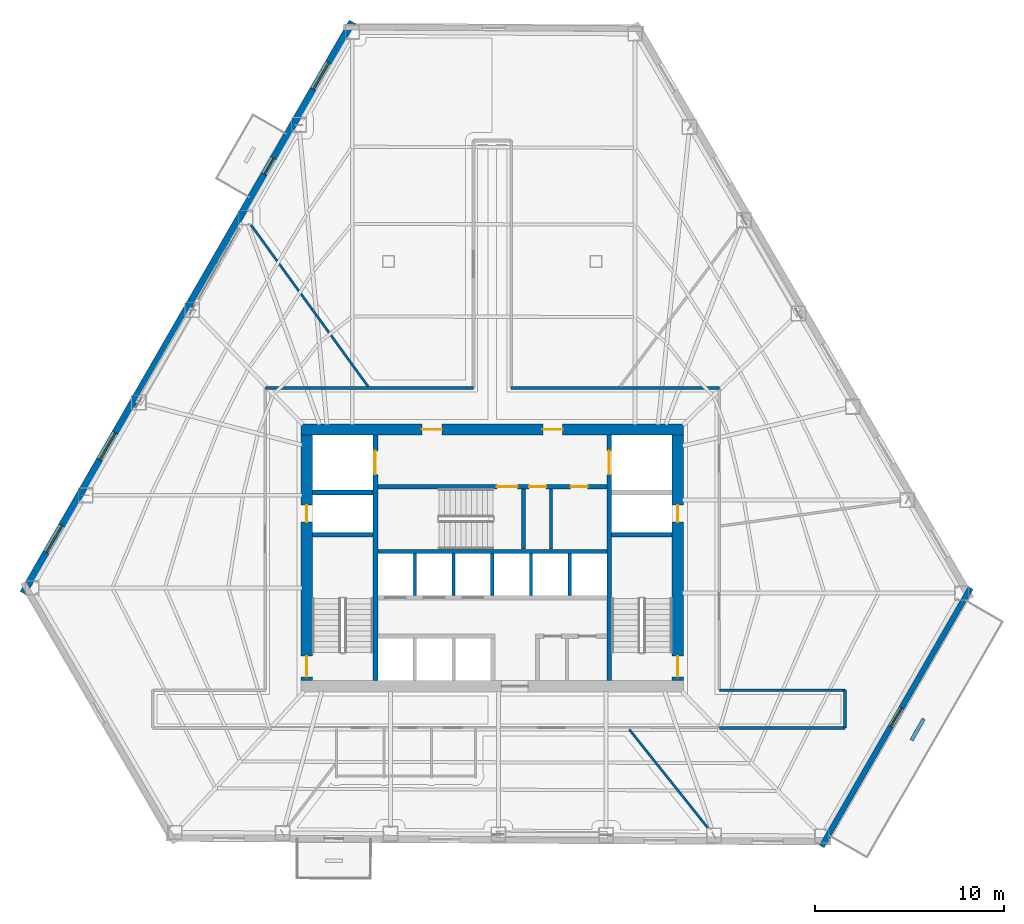
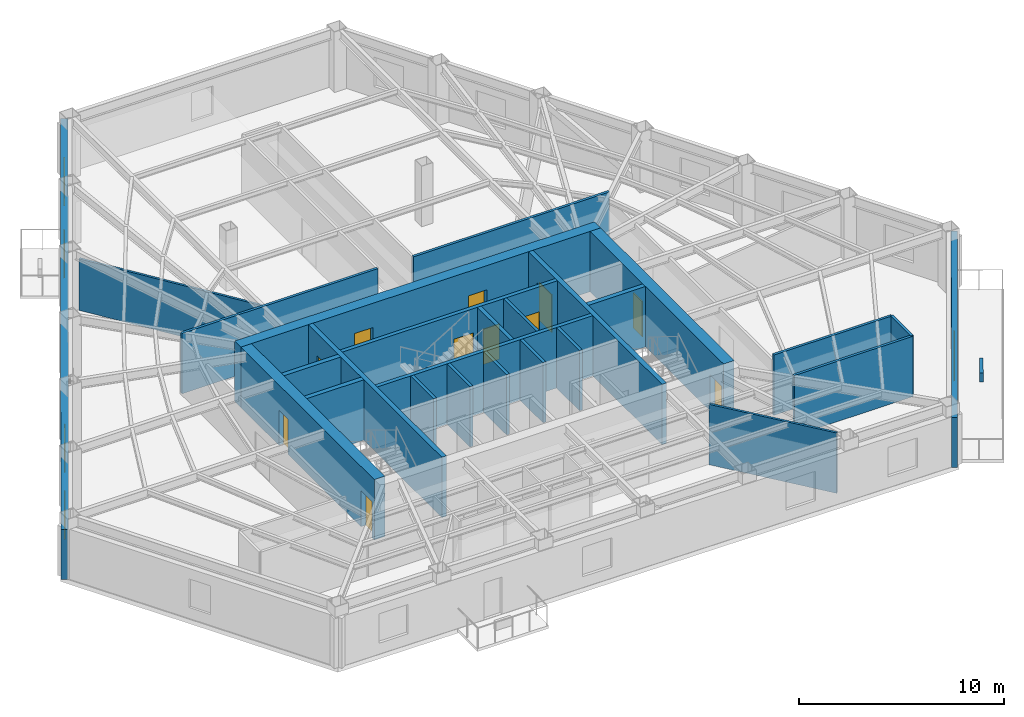
# One storey, part 11 of 16: 27 walls, 13 doors, 3 windows, 16 openings.
"""IFC4 building model written with IfcOpenShell, lengths in metres."""

from ifc_helpers import new_model, si_unit, direction, frame, frame_2d, origin, place, context, subcontext, project, spatial, rectangle, extrude, material, layer, layer_set, type_object, element, fill, save


model = new_model("IFC4")

# Units and contexts
model_context = context("Model", 3, precision=1e-05, world=origin(), true_north=direction((0.0, 1.0)))
body_context = subcontext(model_context, "Body", "Model", "MODEL_VIEW")
ifc_project = project(units=[si_unit("LENGTHUNIT", "METRE"), si_unit("AREAUNIT", "SQUARE_METRE"), si_unit("VOLUMEUNIT", "CUBIC_METRE"), si_unit("PLANEANGLEUNIT", "RADIAN"), si_unit("MASSUNIT", "GRAM", prefix="KILO")], contexts=[model_context])

# Site, building, storey
site_placement = place(None, origin())
site = spatial("IfcSite", under=ifc_project, at=site_placement, CompositionType="ELEMENT")
building_placement = place(site_placement, origin())
building = spatial("IfcBuilding", under=site, at=building_placement, Name="Kavelnor Concourse Tower", CompositionType="ELEMENT")
storey_placement = place(building_placement, frame((0.0, 0.0, 48.35009765625)))
storey = spatial("IfcBuildingStorey", under=building, at=storey_placement, Name="L12", CompositionType="ELEMENT", Elevation=48.35009765625)

# Wall, openings, doors
ifc_material_1 = material(Name="Concrete C60/75", Category="concrete")
ifc_layer_1 = layer(ifc_material_1, 0.60009765625, Name="Concrete C60/75")
ifc_layer_set_1 = layer_set([ifc_layer_1], Name="Concrete C60/75")
wall_type_1 = type_object("IfcWallType", Name="WL-CORE-Z1-600", PredefinedType="SOLIDWALL", material=ifc_layer_set_1)
wall_1_placement = place(storey_placement, frame((27.8798828125, 22.89990234375, 0.0), z_axis=(0.0, 0.0, 1.0), x_axis=(1.0, 0.0, 0.0)))
wall_1 = element("IfcWall", 1, at=wall_1_placement, inside=storey, type_object=wall_type_1, Name="L12 Central Core North Shear Wall", PredefinedType="SOLIDWALL", context=body_context, shape_type="SweptSolid", body=[
    extrude(rectangle(XDim=20.240234375, YDim=0.60009765625, at=frame_2d((10.1201171875, 0.0))), origin(), (0.0, 0.0, 1.0), 3.58984375),
])
opening_1_placement = place(wall_1_placement, frame((6.39501953125, 0.0, 0.0)))
opening_1 = element("IfcOpeningElement", 2, at=opening_1_placement, cuts=wall_1, Name="Opening FD-105", PredefinedType="OPENING", context=body_context, shape_type="SweptSolid", body=[
    extrude(rectangle(XDim=1.050048828125, YDim=2.14990234375, at=frame_2d((0.52490234375, 1.074951171875))), frame((0.0, 0.31005859375, 0.0), z_axis=(0.0, -1.0, 0.0), x_axis=(1.0, 0.0, 0.0)), (0.0, 0.0, 1.0), 0.6201171875),
])
opening_2_placement = place(wall_1_placement, frame((12.794921875, 0.0, 0.0)))
opening_2 = element("IfcOpeningElement", 3, at=opening_2_placement, cuts=wall_1, Name="Opening FD-105", PredefinedType="OPENING", context=body_context, shape_type="SweptSolid", body=[
    extrude(rectangle(XDim=1.050048828125, YDim=2.14990234375, at=frame_2d((0.52490234375, 1.074951171875))), frame((0.0, 0.31005859375, 0.0), z_axis=(0.0, -1.0, 0.0), x_axis=(1.0, 0.0, 0.0)), (0.0, 0.0, 1.0), 0.6201171875),
])
ifc_material_2 = material(Name="Steel Grade 350", Category="steel")
door_type_1 = type_object("IfcDoorType", Name="DR-LOBBY-FIRE-1050", OperationType="NOTDEFINED", PredefinedType="DOOR", material=ifc_material_2)
door_1_placement = place(opening_1_placement, origin())
door_1 = element("IfcDoor", 4, at=door_1_placement, inside=storey, type_object=door_type_1, Name="L12 Emergency Lift Lobby West Door", OperationType="SINGLE_SWING_LEFT", OverallHeight=2.14990234375, OverallWidth=1.050048828125, PredefinedType="DOOR", context=body_context, shape_type="SweptSolid", body=[
    extrude(rectangle(XDim=1.050048828125, YDim=2.14990234375, at=frame_2d((0.52490234375, 1.074951171875))), frame((0.0, 0.02490234375, 0.0), z_axis=(0.0, -1.0, 0.0), x_axis=(1.0, 0.0, 0.0)), (0.0, 0.0, 1.0), 0.050048828125),
])
fill(opening_1, door_1)
door_2_placement = place(opening_2_placement, origin())
door_2 = element("IfcDoor", 5, at=door_2_placement, inside=storey, type_object=door_type_1, Name="L12 Emergency Lift Lobby East Door", OperationType="SINGLE_SWING_RIGHT", OverallHeight=2.14990234375, OverallWidth=1.050048828125, PredefinedType="DOOR", context=body_context, shape_type="SweptSolid", body=[
    extrude(rectangle(XDim=1.050048828125, YDim=2.14990234375, at=frame_2d((0.52490234375, 1.074951171875))), frame((0.0, 0.02490234375, 0.0), z_axis=(0.0, -1.0, 0.0), x_axis=(1.0, 0.0, 0.0)), (0.0, 0.0, 1.0), 0.050048828125),
])
fill(opening_2, door_2)

wall_2_placement = place(storey_placement, frame((28.179931640625, 9.60009765625, 0.0), z_axis=(0.0, 0.0, 1.0), x_axis=(0.0, 1.0, 0.0)))
wall_2 = element("IfcWall", 6, at=wall_2_placement, inside=storey, type_object=wall_type_1, Name="L12 Central Core West Shear Wall", PredefinedType="SOLIDWALL", context=body_context, shape_type="SweptSolid", body=[
    extrude(rectangle(XDim=13.0, YDim=0.60009765625, at=frame_2d((6.5, 0.0))), origin(), (0.0, 0.0, 1.0), 3.58984375),
])
opening_3_placement = place(wall_2_placement, frame((0.199951171875, 0.0, 0.0)))
opening_3 = element("IfcOpeningElement", 7, at=opening_3_placement, cuts=wall_2, Name="Opening FD-110", PredefinedType="OPENING", context=body_context, shape_type="SweptSolid", body=[
    extrude(rectangle(XDim=1.10009765625, YDim=2.14990234375, at=frame_2d((0.550048828125, 1.074951171875))), frame((0.0, 0.31005859375, 0.0), z_axis=(0.0, -1.0, 0.0), x_axis=(1.0, 0.0, 0.0)), (0.0, 0.0, 1.0), 0.6201171875),
])
opening_4_placement = place(wall_2_placement, frame((8.39990234375, 0.0, 0.0)))
opening_4 = element("IfcOpeningElement", 8, at=opening_4_placement, cuts=wall_2, Name="Opening FD-090", PredefinedType="OPENING", context=body_context, shape_type="SweptSolid", body=[
    extrude(rectangle(XDim=0.89990234375, YDim=2.10009765625, at=frame_2d((0.449951171875, 1.050048828125))), frame((0.0, 0.31005859375, 0.0), z_axis=(0.0, -1.0, 0.0), x_axis=(1.0, 0.0, 0.0)), (0.0, 0.0, 1.0), 0.6201171875),
])
door_type_2 = type_object("IfcDoorType", Name="DR-RISER-FIRE-900", OperationType="NOTDEFINED", PredefinedType="DOOR", material=ifc_material_2)
door_3_placement = place(opening_4_placement, origin())
door_3 = element("IfcDoor", 9, at=door_3_placement, inside=storey, type_object=door_type_2, Name="L12 West Riser Access Door", OperationType="SINGLE_SWING_RIGHT", OverallHeight=2.10009765625, OverallWidth=0.89990234375, PredefinedType="DOOR", context=body_context, shape_type="SweptSolid", body=[
    extrude(rectangle(XDim=0.89990234375, YDim=2.10009765625, at=frame_2d((0.449951171875, 1.050048828125))), frame((0.0, 0.02490234375, 0.0), z_axis=(0.0, -1.0, 0.0), x_axis=(1.0, 0.0, 0.0)), (0.0, 0.0, 1.0), 0.050048828125),
])
fill(opening_4, door_3)
door_type_3 = type_object("IfcDoorType", Name="DR-STAIR-FIRE-1100", OperationType="NOTDEFINED", PredefinedType="DOOR", material=ifc_material_2)
door_4_placement = place(opening_3_placement, origin())
door_4 = element("IfcDoor", 10, at=door_4_placement, inside=storey, type_object=door_type_3, Name="L12 Stair ST1 Fire Door", OperationType="SINGLE_SWING_LEFT", OverallHeight=2.14990234375, OverallWidth=1.10009765625, PredefinedType="DOOR", context=body_context, shape_type="SweptSolid", body=[
    extrude(rectangle(XDim=1.10009765625, YDim=2.14990234375, at=frame_2d((0.550048828125, 1.074951171875))), frame((0.0, 0.02490234375, 0.0), z_axis=(0.0, -1.0, 0.0), x_axis=(1.0, 0.0, 0.0)), (0.0, 0.0, 1.0), 0.050048828125),
])
fill(opening_3, door_4)

wall_3_placement = place(storey_placement, frame((47.820068359375, 9.60009765625, 0.0), z_axis=(0.0, 0.0, 1.0), x_axis=(0.0, 1.0, 0.0)))
wall_3 = element("IfcWall", 11, at=wall_3_placement, inside=storey, type_object=wall_type_1, Name="L12 Central Core East Shear Wall", PredefinedType="SOLIDWALL", context=body_context, shape_type="SweptSolid", body=[
    extrude(rectangle(XDim=13.0, YDim=0.60009765625, at=frame_2d((6.5, 0.0))), origin(), (0.0, 0.0, 1.0), 3.58984375),
])
opening_5_placement = place(wall_3_placement, frame((0.199951171875, 0.0, 0.0)))
opening_5 = element("IfcOpeningElement", 12, at=opening_5_placement, cuts=wall_3, Name="Opening FD-110", PredefinedType="OPENING", context=body_context, shape_type="SweptSolid", body=[
    extrude(rectangle(XDim=1.10009765625, YDim=2.14990234375, at=frame_2d((0.550048828125, 1.074951171875))), frame((0.0, 0.31005859375, 0.0), z_axis=(0.0, -1.0, 0.0), x_axis=(1.0, 0.0, 0.0)), (0.0, 0.0, 1.0), 0.6201171875),
])
opening_6_placement = place(wall_3_placement, frame((8.39990234375, 0.0, 0.0)))
opening_6 = element("IfcOpeningElement", 13, at=opening_6_placement, cuts=wall_3, Name="Opening FD-090", PredefinedType="OPENING", context=body_context, shape_type="SweptSolid", body=[
    extrude(rectangle(XDim=0.89990234375, YDim=2.10009765625, at=frame_2d((0.449951171875, 1.050048828125))), frame((0.0, 0.31005859375, 0.0), z_axis=(0.0, -1.0, 0.0), x_axis=(1.0, 0.0, 0.0)), (0.0, 0.0, 1.0), 0.6201171875),
])
door_5_placement = place(opening_6_placement, origin())
door_5 = element("IfcDoor", 14, at=door_5_placement, inside=storey, type_object=door_type_2, Name="L12 East Riser Access Door", OperationType="SINGLE_SWING_LEFT", OverallHeight=2.10009765625, OverallWidth=0.89990234375, PredefinedType="DOOR", context=body_context, shape_type="SweptSolid", body=[
    extrude(rectangle(XDim=0.89990234375, YDim=2.10009765625, at=frame_2d((0.449951171875, 1.050048828125))), frame((0.0, 0.02490234375, 0.0), z_axis=(0.0, -1.0, 0.0), x_axis=(1.0, 0.0, 0.0)), (0.0, 0.0, 1.0), 0.050048828125),
])
fill(opening_6, door_5)
door_6_placement = place(opening_5_placement, origin())
door_6 = element("IfcDoor", 15, at=door_6_placement, inside=storey, type_object=door_type_3, Name="L12 Stair ST2 Fire Door", OperationType="SINGLE_SWING_RIGHT", OverallHeight=2.14990234375, OverallWidth=1.10009765625, PredefinedType="DOOR", context=body_context, shape_type="SweptSolid", body=[
    extrude(rectangle(XDim=1.10009765625, YDim=2.14990234375, at=frame_2d((0.550048828125, 1.074951171875))), frame((0.0, 0.02490234375, 0.0), z_axis=(0.0, -1.0, 0.0), x_axis=(1.0, 0.0, 0.0)), (0.0, 0.0, 1.0), 0.050048828125),
])
fill(opening_5, door_6)

# Wall, opening, door
ifc_material_3 = material(Name="Buff ironspot clay face brick masonry", Category="masonry")
ifc_layer_2 = layer(ifc_material_3, 0.300048828125, Name="Buff ironspot clay face brick masonry")
ifc_layer_set_2 = layer_set([ifc_layer_2], Name="Buff ironspot clay face brick masonry")
wall_type_2 = type_object("IfcWallType", Name="WL-EXT-BUFF-BRICK-FOLD-300", PredefinedType="STANDARD", material=ifc_layer_set_2)
wall_4_placement = place(storey_placement, frame((63.331298828125, 14.51171875, 0.0), z_axis=(0.0, 0.0, 1.0), x_axis=(-0.499311399625, -0.866422602547, 0.0)))
wall_4 = element("IfcWall", 16, at=wall_4_placement, inside=storey, type_object=wall_type_2, Name="L12 Exterior Brick Facade Wall E4", PredefinedType="STANDARD", context=body_context, shape_type="SweptSolid", body=[
    extrude(rectangle(XDim=15.804443359375, YDim=0.300048828125, at=frame_2d((7.90234375, 0.0))), origin(), (0.0, 0.0, 1.0), 2.969970703125),
])
opening_7_placement = place(wall_4_placement, frame((7.3271484375, 0.0, 0.0)))
opening_7 = element("IfcOpeningElement", 17, at=opening_7_placement, cuts=wall_4, Name="Opening TD-115", PredefinedType="OPENING", context=body_context, shape_type="SweptSolid", body=[
    extrude(rectangle(XDim=1.14990234375, YDim=2.199951171875, at=frame_2d((0.574951171875, 1.10009765625))), frame((0.0, 0.16015625, 0.0), z_axis=(0.0, -1.0, 0.0), x_axis=(1.0, 0.0, 0.0)), (0.0, 0.0, 1.0), 0.320068359375),
])
ifc_material_4 = material(Name="Anodised aluminium 6063-T6", Category="aluminium")
door_type_4 = type_object("IfcDoorType", Name="DR-TERRACE-EXT-1150", OperationType="NOTDEFINED", PredefinedType="DOOR", material=ifc_material_4)
door_7_placement = place(opening_7_placement, origin())
door_7 = element("IfcDoor", 18, at=door_7_placement, inside=storey, type_object=door_type_4, Name="L12 Spiral Sky Terrace Access Door", OperationType="SINGLE_SWING_LEFT", OverallHeight=2.199951171875, OverallWidth=1.14990234375, PredefinedType="DOOR", context=body_context, shape_type="SweptSolid", body=[
    extrude(rectangle(XDim=1.14990234375, YDim=2.199951171875, at=frame_2d((0.574951171875, 1.10009765625))), frame((0.0, 0.02490234375, 0.0), z_axis=(0.0, -1.0, 0.0), x_axis=(1.0, 0.0, 0.0)), (0.0, 0.0, 1.0), 0.050048828125),
])
fill(opening_7, door_7)

# Wall, openings, door, windows
ifc_material_5 = material(Name="Red-ochre clay face brick masonry", Category="masonry")
ifc_layer_3 = layer(ifc_material_5, 0.3798828125, Name="Red-ochre clay face brick masonry")
ifc_layer_set_3 = layer_set([ifc_layer_3], Name="Red-ochre clay face brick masonry")
wall_type_3 = type_object("IfcWallType", Name="WL-EXT-RED-BRICK-PIER-380", PredefinedType="STANDARD", material=ifc_layer_set_3)
wall_5_placement = place(storey_placement, frame((13.155517578125, 14.236572265625, 0.0), z_axis=(0.0, 0.0, 1.0), x_axis=(0.499310189151, 0.866423300131, 0.0)))
wall_5 = element("IfcWall", 19, at=wall_5_placement, inside=storey, type_object=wall_type_3, Name="L12 Exterior Brick Facade Wall E1", PredefinedType="STANDARD", context=body_context, shape_type="SweptSolid", body=[
    extrude(rectangle(XDim=34.917236328125, YDim=0.3798828125, at=frame_2d((17.45849609375, 0.0))), origin(), (0.0, 0.0, 1.0), 2.969970703125),
])
opening_8_placement = place(wall_5_placement, frame((25.587890625, 0.0, 0.0)))
opening_8 = element("IfcOpeningElement", 20, at=opening_8_placement, cuts=wall_5, Name="Opening BD-100", PredefinedType="OPENING", context=body_context, shape_type="SweptSolid", body=[
    extrude(rectangle(XDim=1.0, YDim=2.199951171875, at=frame_2d((0.5, 1.10009765625))), frame((0.0, 0.199951171875, 0.0), z_axis=(0.0, -1.0, 0.0), x_axis=(1.0, 0.0, 0.0)), (0.0, 0.0, 1.0), 0.39990234375),
])
opening_9_placement = place(wall_5_placement, frame((30.783203125, 0.0, 0.64990234375)))
opening_9 = element("IfcOpeningElement", 21, at=opening_9_placement, cuts=wall_5, Name="Opening W-01", PredefinedType="OPENING", context=body_context, shape_type="SweptSolid", body=[
    extrude(rectangle(XDim=1.64990234375, YDim=1.75, at=frame_2d((0.824951171875, 0.875))), frame((0.0, 0.199951171875, 0.0), z_axis=(0.0, -1.0, 0.0), x_axis=(1.0, 0.0, 0.0)), (0.0, 0.0, 1.0), 0.39990234375),
])
opening_10_placement = place(wall_5_placement, frame((8.143310546875, 0.0, 0.64990234375)))
opening_10 = element("IfcOpeningElement", 22, at=opening_10_placement, cuts=wall_5, Name="Opening W-01", PredefinedType="OPENING", context=body_context, shape_type="SweptSolid", body=[
    extrude(rectangle(XDim=1.64990234375, YDim=1.75, at=frame_2d((0.824951171875, 0.875))), frame((0.0, 0.199951171875, 0.0), z_axis=(0.0, -1.0, 0.0), x_axis=(1.0, 0.0, 0.0)), (0.0, 0.0, 1.0), 0.39990234375),
])
opening_11_placement = place(wall_5_placement, frame((2.4833984375, 0.0, 0.64990234375)))
opening_11 = element("IfcOpeningElement", 23, at=opening_11_placement, cuts=wall_5, Name="Opening W-01", PredefinedType="OPENING", context=body_context, shape_type="SweptSolid", body=[
    extrude(rectangle(XDim=1.64990234375, YDim=1.75, at=frame_2d((0.824951171875, 0.875))), frame((0.0, 0.199951171875, 0.0), z_axis=(0.0, -1.0, 0.0), x_axis=(1.0, 0.0, 0.0)), (0.0, 0.0, 1.0), 0.39990234375),
])
door_type_5 = type_object("IfcDoorType", Name="DR-BALCONY-EXT-1000", OperationType="NOTDEFINED", PredefinedType="DOOR", material=ifc_material_4)
door_8_placement = place(opening_8_placement, origin())
door_8 = element("IfcDoor", 24, at=door_8_placement, inside=storey, type_object=door_type_5, Name="L12 Tree Balcony 1 Glazed Door", OperationType="SINGLE_SWING_LEFT", OverallHeight=2.199951171875, OverallWidth=1.0, PredefinedType="DOOR", context=body_context, shape_type="SweptSolid", body=[
    extrude(rectangle(XDim=1.0, YDim=2.199951171875, at=frame_2d((0.5, 1.10009765625))), frame((0.0, 0.02490234375, 0.0), z_axis=(0.0, -1.0, 0.0), x_axis=(1.0, 0.0, 0.0)), (0.0, 0.0, 1.0), 0.050048828125),
])
fill(opening_8, door_8)
ifc_material_6 = material(Name="Double low-E argon insulated glazing", Category="glass")
window_type = type_object("IfcWindowType", Name="WIN-PIER-Z1-1800", PartitioningType="SINGLE_PANEL", PredefinedType="WINDOW", material=ifc_material_6)
window_1_placement = place(opening_9_placement, origin())
window_1 = element("IfcWindow", 25, at=window_1_placement, inside=storey, type_object=window_type, Name="L12 Deep-Set Brick Pier Window F0-B0", OverallHeight=1.75, OverallWidth=1.64990234375, PartitioningType="SINGLE_PANEL", PredefinedType="WINDOW", context=body_context, shape_type="SweptSolid", body=[
    extrude(rectangle(XDim=1.64990234375, YDim=1.75, at=frame_2d((0.824951171875, 0.875))), frame((0.0, 0.030029296875, 0.0), z_axis=(0.0, -1.0, 0.0), x_axis=(1.0, 0.0, 0.0)), (0.0, 0.0, 1.0), 0.06005859375),
])
fill(opening_9, window_1)
window_2_placement = place(opening_10_placement, origin())
window_2 = element("IfcWindow", 26, at=window_2_placement, inside=storey, type_object=window_type, Name="L12 Deep-Set Brick Pier Window F0-B4", OverallHeight=1.75, OverallWidth=1.64990234375, PartitioningType="SINGLE_PANEL", PredefinedType="WINDOW", context=body_context, shape_type="SweptSolid", body=[
    extrude(rectangle(XDim=1.64990234375, YDim=1.75, at=frame_2d((0.824951171875, 0.875))), frame((0.0, 0.030029296875, 0.0), z_axis=(0.0, -1.0, 0.0), x_axis=(1.0, 0.0, 0.0)), (0.0, 0.0, 1.0), 0.06005859375),
])
fill(opening_10, window_2)
window_3_placement = place(opening_11_placement, origin())
window_3 = element("IfcWindow", 27, at=window_3_placement, inside=storey, type_object=window_type, Name="L12 Deep-Set Brick Pier Window F0-B5", OverallHeight=1.75, OverallWidth=1.64990234375, PartitioningType="SINGLE_PANEL", PredefinedType="WINDOW", context=body_context, shape_type="SweptSolid", body=[
    extrude(rectangle(XDim=1.64990234375, YDim=1.75, at=frame_2d((0.824951171875, 0.875))), frame((0.0, 0.030029296875, 0.0), z_axis=(0.0, -1.0, 0.0), x_axis=(1.0, 0.0, 0.0)), (0.0, 0.0, 1.0), 0.06005859375),
])
fill(opening_11, window_3)

# Walls
ifc_material_7 = material(Name="Gypsum plasterboard on light-gauge steel studs", Category="steel")
ifc_layer_4 = layer(ifc_material_7, 0.14501953125, Name="Gypsum plasterboard on light-gauge steel studs")
ifc_layer_set_4 = layer_set([ifc_layer_4], Name="Gypsum plasterboard on light-gauge steel studs")
wall_type_4 = type_object("IfcWallType", Name="WL-INT-CORR-145", PredefinedType="PARTITIONING", material=ifc_layer_set_4)
for number, where, z_axis, x_axis, name in (
    (28, (25.97998046875, 25.10009765625, 0.0), (0.0, 0.0, 1.0), (1.0, 0.0, 0.0), "L12 Corridor Wall WL-L12-CR-03"),
    (29, (39.0, 25.10009765625, 0.0), (0.0, 0.0, 1.0), (1.0, 0.0, 0.0), "L12 Corridor Wall WL-L12-CR-07"),
):
    element("IfcWall", number, at=place(storey_placement, frame(where, z_axis=z_axis, x_axis=x_axis)), inside=storey, type_object=wall_type_4, Name=name, PredefinedType="PARTITIONING", context=body_context, shape_type="SweptSolid", body=[
        extrude(rectangle(XDim=11.02001953125, YDim=0.14501953125, at=frame_2d((5.510009765625, 0.0))), origin(), (0.0, 0.0, 1.0), 3.58984375),
    ])
wall_6_placement = place(storey_placement, frame((50.02001953125, 9.10009765625, 0.0), z_axis=(0.0, 0.0, 1.0), x_axis=(1.0, 0.0, 0.0)))
element("IfcWall", 30, at=wall_6_placement, inside=storey, type_object=wall_type_4, Name="L12 Corridor Wall WL-L12-CR-09", PredefinedType="PARTITIONING", context=body_context, shape_type="SweptSolid", body=[
    extrude(rectangle(XDim=6.660888671875, YDim=0.14501953125, at=frame_2d((3.33056640625, 0.0))), origin(), (0.0, 0.0, 1.0), 3.58984375),
])
wall_7_placement = place(storey_placement, frame((56.680908203125, 9.10009765625, 0.0), z_axis=(0.0, 0.0, 1.0), x_axis=(0.0, -1.0, 0.0)))
element("IfcWall", 31, at=wall_7_placement, inside=storey, type_object=wall_type_4, Name="L12 Corridor Wall WL-L12-CR-10", PredefinedType="PARTITIONING", context=body_context, shape_type="SweptSolid", body=[
    extrude(rectangle(XDim=2.0, YDim=0.14501953125, at=frame_2d((1.0, 0.0))), origin(), (0.0, 0.0, 1.0), 3.58984375),
])
wall_8_placement = place(storey_placement, frame((56.680908203125, 7.10009765625, 0.0), z_axis=(0.0, 0.0, 1.0), x_axis=(-1.0, 0.0, 0.0)))
element("IfcWall", 32, at=wall_8_placement, inside=storey, type_object=wall_type_4, Name="L12 Corridor Wall WL-L12-CR-11", PredefinedType="PARTITIONING", context=body_context, shape_type="SweptSolid", body=[
    extrude(rectangle(XDim=6.660888671875, YDim=0.14501953125, at=frame_2d((3.33056640625, 0.0))), origin(), (0.0, 0.0, 1.0), 3.58984375),
])
ifc_layer_5 = layer(ifc_material_7, 0.1650390625, Name="Gypsum plasterboard on light-gauge steel studs")
ifc_layer_set_5 = layer_set([ifc_layer_5], Name="Gypsum plasterboard on light-gauge steel studs")
wall_type_5 = type_object("IfcWallType", Name="WL-INT-FIRE-165", PredefinedType="PARTITIONING", material=ifc_layer_set_5)
for number, where, z_axis, x_axis, name in (
    (33, (33.89990234375, 14.10009765625, 0.0), (0.0, 0.0, 1.0), (0.0, 1.0, 0.0), "L12 Lift Shaft Divider LP1"),
    (34, (35.949951171875, 14.10009765625, 0.0), (0.0, 0.0, 1.0), (0.0, 1.0, 0.0), "L12 Lift Shaft Divider LP2"),
    (35, (38.0, 14.10009765625, 0.0), (0.0, 0.0, 1.0), (0.0, 1.0, 0.0), "L12 Lift Shaft Divider LP3"),
    (36, (40.050048828125, 14.10009765625, 0.0), (0.0, 0.0, 1.0), (0.0, 1.0, 0.0), "L12 Lift Shaft Divider LP4"),
    (37, (42.10009765625, 14.10009765625, 0.0), (0.0, 0.0, 1.0), (0.0, 1.0, 0.0), "L12 Lift Shaft Divider LP5"),
):
    element("IfcWall", number, at=place(storey_placement, frame(where, z_axis=z_axis, x_axis=x_axis)), inside=storey, type_object=wall_type_5, Name=name, PredefinedType="PARTITIONING", context=body_context, shape_type="SweptSolid", body=[
        extrude(rectangle(XDim=2.239990234375, YDim=0.1650390625, at=frame_2d((1.1201171875, 0.0))), origin(), (0.0, 0.0, 1.0), 3.58984375),
    ])
wall_9_placement = place(storey_placement, frame((41.10009765625, 16.56005859375, 0.0), z_axis=(0.0, 0.0, 1.0), x_axis=(0.0, 1.0, 0.0)))
element("IfcWall", 38, at=wall_9_placement, inside=storey, type_object=wall_type_5, Name="L12 Core Support West Divider", PredefinedType="PARTITIONING", context=body_context, shape_type="SweptSolid", body=[
    extrude(rectangle(XDim=3.199951171875, YDim=0.1650390625, at=frame_2d((1.60009765625, 0.0))), origin(), (0.0, 0.0, 1.0), 3.58984375),
])
ifc_layer_6 = layer(ifc_material_7, 0.125, Name="Gypsum plasterboard on light-gauge steel studs")
ifc_layer_set_6 = layer_set([ifc_layer_6], Name="Gypsum plasterboard on light-gauge steel studs")
wall_type_6 = type_object("IfcWallType", Name="WL-INT-SUITE-125", PredefinedType="PARTITIONING", material=ifc_layer_set_6)
wall_10_placement = place(storey_placement, frame((31.419677734375, 25.180419921875, 0.0), z_axis=(0.0, 0.0, 1.0), x_axis=(-0.586790860412, 0.809738529487, 0.0)))
element("IfcWall", 39, at=wall_10_placement, inside=storey, type_object=wall_type_6, Name="L12 Radial Suite Partition 03", PredefinedType="PARTITIONING", context=body_context, shape_type="SweptSolid", body=[
    extrude(rectangle(XDim=10.55078125, YDim=0.125, at=frame_2d((5.275390625, 0.0))), origin(), (0.0, 0.0, 1.0), 3.056884765625),
])
wall_11_placement = place(storey_placement, frame((45.25, 7.01953125, 0.0), z_axis=(0.0, 0.0, 1.0), x_axis=(0.623935730438, -0.781475658151, 0.0)))
element("IfcWall", 40, at=wall_11_placement, inside=storey, type_object=wall_type_6, Name="L12 Radial Suite Partition 05", PredefinedType="PARTITIONING", context=body_context, shape_type="SweptSolid", body=[
    extrude(rectangle(XDim=6.66845703125, YDim=0.125, at=frame_2d((3.334228515625, 0.0))), origin(), (0.0, 0.0, 1.0), 3.58984375),
])
ifc_material_8 = material(Name="Architectural precast planter concrete C40/50", Category="concrete")
ifc_layer_7 = layer(ifc_material_8, 0.18994140625, Name="Architectural precast planter concrete C40/50")
ifc_layer_set_7 = layer_set([ifc_layer_7], Name="Architectural precast planter concrete C40/50")
wall_type_7 = type_object("IfcWallType", Name="WL-PLANTER-KERB-190", PredefinedType="USERDEFINED", material=ifc_layer_set_7)
wall_12_placement = place(storey_placement, frame((60.196044921875, 6.44775390625, 0.0), z_axis=(0.0, 0.0, 1.0), x_axis=(0.49931057024, 0.866423080514, 0.0)))
element("IfcWall", 41, at=wall_12_placement, inside=storey, type_object=wall_type_7, Name="L12 Spiral Terrace Landscaped Planter Kerb", ObjectType="PLANTER", PredefinedType="USERDEFINED", context=body_context, shape_type="SweptSolid", body=[
    extrude(rectangle(XDim=1.300048828125, YDim=0.18994140625, at=frame_2d((0.64990234375, 0.0))), origin(), (0.0, 0.0, 1.0), 0.52001953125),
])

# Wall, openings, doors
ifc_material_9 = material(Name="Concrete C50/60", Category="concrete")
ifc_layer_8 = layer(ifc_material_9, 0.219970703125, Name="Concrete C50/60")
ifc_layer_set_8 = layer_set([ifc_layer_8], Name="Concrete C50/60")
wall_type_8 = type_object("IfcWallType", Name="WL-SHAFT-220", PredefinedType="SOLIDWALL", material=ifc_layer_set_8)
wall_13_placement = place(storey_placement, frame((31.93994140625, 19.8701171875, 0.0), z_axis=(0.0, 0.0, 1.0), x_axis=(1.0, 0.0, 0.0)))
wall_13 = element("IfcWall", 42, at=wall_13_placement, inside=storey, type_object=wall_type_8, Name="L12 Emergency Lift Lobby South Wall", PredefinedType="SOLIDWALL", context=body_context, shape_type="SweptSolid", body=[
    extrude(rectangle(XDim=12.1201171875, YDim=0.219970703125, at=frame_2d((6.06005859375, 0.0))), origin(), (0.0, 0.0, 1.0), 3.58984375),
])
opening_12_placement = place(wall_13_placement, frame((6.300048828125, 0.0, 0.0)))
opening_12 = element("IfcOpeningElement", 43, at=opening_12_placement, cuts=wall_13, Name="Opening FD-110", PredefinedType="OPENING", context=body_context, shape_type="SweptSolid", body=[
    extrude(rectangle(XDim=1.10009765625, YDim=2.14990234375, at=frame_2d((0.550048828125, 1.074951171875))), frame((0.0, 0.1201171875, 0.0), z_axis=(0.0, -1.0, 0.0), x_axis=(1.0, 0.0, 0.0)), (0.0, 0.0, 1.0), 0.239990234375),
])
opening_13_placement = place(wall_13_placement, frame((8.010009765625, 0.0, 0.0)))
opening_13 = element("IfcOpeningElement", 44, at=opening_13_placement, cuts=wall_13, Name="Opening FD-090", PredefinedType="OPENING", context=body_context, shape_type="SweptSolid", body=[
    extrude(rectangle(XDim=0.89990234375, YDim=2.10009765625, at=frame_2d((0.449951171875, 1.050048828125))), frame((0.0, 0.1201171875, 0.0), z_axis=(0.0, -1.0, 0.0), x_axis=(1.0, 0.0, 0.0)), (0.0, 0.0, 1.0), 0.239990234375),
])
opening_14_placement = place(wall_13_placement, frame((10.2099609375, 0.0, 0.0)))
opening_14 = element("IfcOpeningElement", 45, at=opening_14_placement, cuts=wall_13, Name="Opening FD-090", PredefinedType="OPENING", context=body_context, shape_type="SweptSolid", body=[
    extrude(rectangle(XDim=0.89990234375, YDim=2.10009765625, at=frame_2d((0.449951171875, 1.050048828125))), frame((0.0, 0.1201171875, 0.0), z_axis=(0.0, -1.0, 0.0), x_axis=(1.0, 0.0, 0.0)), (0.0, 0.0, 1.0), 0.239990234375),
])
door_9_placement = place(opening_13_placement, origin())
door_9 = element("IfcDoor", 46, at=door_9_placement, inside=storey, type_object=door_type_2, Name="L12 Cleaner Door", OperationType="SINGLE_SWING_RIGHT", OverallHeight=2.10009765625, OverallWidth=0.89990234375, PredefinedType="DOOR", context=body_context, shape_type="SweptSolid", body=[
    extrude(rectangle(XDim=0.89990234375, YDim=2.10009765625, at=frame_2d((0.449951171875, 1.050048828125))), frame((0.0, 0.02490234375, 0.0), z_axis=(0.0, -1.0, 0.0), x_axis=(1.0, 0.0, 0.0)), (0.0, 0.0, 1.0), 0.050048828125),
])
fill(opening_13, door_9)
door_10_placement = place(opening_14_placement, origin())
door_10 = element("IfcDoor", 47, at=door_10_placement, inside=storey, type_object=door_type_2, Name="L12 UPS Room Door", OperationType="SINGLE_SWING_LEFT", OverallHeight=2.10009765625, OverallWidth=0.89990234375, PredefinedType="DOOR", context=body_context, shape_type="SweptSolid", body=[
    extrude(rectangle(XDim=0.89990234375, YDim=2.10009765625, at=frame_2d((0.449951171875, 1.050048828125))), frame((0.0, 0.02490234375, 0.0), z_axis=(0.0, -1.0, 0.0), x_axis=(1.0, 0.0, 0.0)), (0.0, 0.0, 1.0), 0.050048828125),
])
fill(opening_14, door_10)
door_11_placement = place(opening_12_placement, origin())
door_11 = element("IfcDoor", 48, at=door_11_placement, inside=storey, type_object=door_type_3, Name="L12 Stair ST3 Fire Door", OperationType="SINGLE_SWING_LEFT", OverallHeight=2.14990234375, OverallWidth=1.10009765625, PredefinedType="DOOR", context=body_context, shape_type="SweptSolid", body=[
    extrude(rectangle(XDim=1.10009765625, YDim=2.14990234375, at=frame_2d((0.550048828125, 1.074951171875))), frame((0.0, 0.02490234375, 0.0), z_axis=(0.0, -1.0, 0.0), x_axis=(1.0, 0.0, 0.0)), (0.0, 0.0, 1.0), 0.050048828125),
])
fill(opening_12, door_11)

# Walls
wall_14_placement = place(storey_placement, frame((31.93994140625, 16.449951171875, 0.0), z_axis=(0.0, 0.0, 1.0), x_axis=(1.0, 0.0, 0.0)))
element("IfcWall", 49, at=wall_14_placement, inside=storey, type_object=wall_type_8, Name="L12 Stair ST3 South Core Wall", PredefinedType="SOLIDWALL", context=body_context, shape_type="SweptSolid", body=[
    extrude(rectangle(XDim=12.1201171875, YDim=0.219970703125, at=frame_2d((6.06005859375, 0.0))), origin(), (0.0, 0.0, 1.0), 3.58984375),
])
wall_15_placement = place(storey_placement, frame((39.64990234375, 16.56005859375, 0.0), z_axis=(0.0, 0.0, 1.0), x_axis=(0.0, 1.0, 0.0)))
element("IfcWall", 50, at=wall_15_placement, inside=storey, type_object=wall_type_8, Name="L12 Stair ST3 East Core Wall", PredefinedType="SOLIDWALL", context=body_context, shape_type="SweptSolid", body=[
    extrude(rectangle(XDim=3.199951171875, YDim=0.219970703125, at=frame_2d((1.60009765625, 0.0))), origin(), (0.0, 0.0, 1.0), 3.58984375),
])

# Wall, opening, door
ifc_layer_9 = layer(ifc_material_9, 0.260009765625, Name="Concrete C50/60")
ifc_layer_set_9 = layer_set([ifc_layer_9], Name="Concrete C50/60")
wall_type_9 = type_object("IfcWallType", Name="WL-SHAFT-260", PredefinedType="SHEAR", material=ifc_layer_set_9)
wall_16_placement = place(storey_placement, frame((31.81005859375, 9.60009765625, 0.0), z_axis=(0.0, 0.0, 1.0), x_axis=(0.0, 1.0, 0.0)))
wall_16 = element("IfcWall", 51, at=wall_16_placement, inside=storey, type_object=wall_type_9, Name="L12 Core West Wing Shear Wall", PredefinedType="SHEAR", context=body_context, shape_type="SweptSolid", body=[
    extrude(rectangle(XDim=13.0, YDim=0.260009765625, at=frame_2d((6.5, 0.0))), origin(), (0.0, 0.0, 1.0), 3.58984375),
])
opening_15_placement = place(wall_16_placement, frame((10.925048828125, 0.0, 0.0)))
opening_15 = element("IfcOpeningElement", 52, at=opening_15_placement, cuts=wall_16, Name="Opening LD-125", PredefinedType="OPENING", context=body_context, shape_type="SweptSolid", body=[
    extrude(rectangle(XDim=1.25, YDim=2.25, at=frame_2d((0.625, 1.125))), frame((0.0, 0.14013671875, 0.0), z_axis=(0.0, -1.0, 0.0), x_axis=(1.0, 0.0, 0.0)), (0.0, 0.0, 1.0), 0.280029296875),
])
door_type_6 = type_object("IfcDoorType", Name="DR-LIFT-SLIDING-1250", OperationType="NOTDEFINED", PredefinedType="DOOR", material=ifc_material_2)
door_12_placement = place(opening_15_placement, origin())
door_12 = element("IfcDoor", 53, at=door_12_placement, inside=storey, type_object=door_type_6, Name="L12 Emergency Lift FL1 Landing Door", OperationType="DOUBLE_DOOR_SLIDING", OverallHeight=2.25, OverallWidth=1.25, PredefinedType="DOOR", context=body_context, shape_type="SweptSolid", body=[
    extrude(rectangle(XDim=1.25, YDim=2.25, at=frame_2d((0.625, 1.125))), frame((0.0, 0.02490234375, 0.0), z_axis=(0.0, -1.0, 0.0), x_axis=(1.0, 0.0, 0.0)), (0.0, 0.0, 1.0), 0.050048828125),
])
fill(opening_15, door_12)

wall_17_placement = place(storey_placement, frame((44.18994140625, 9.60009765625, 0.0), z_axis=(0.0, 0.0, 1.0), x_axis=(0.0, 1.0, 0.0)))
wall_17 = element("IfcWall", 54, at=wall_17_placement, inside=storey, type_object=wall_type_9, Name="L12 Core East Wing Shear Wall", PredefinedType="SHEAR", context=body_context, shape_type="SweptSolid", body=[
    extrude(rectangle(XDim=13.0, YDim=0.260009765625, at=frame_2d((6.5, 0.0))), origin(), (0.0, 0.0, 1.0), 3.58984375),
])
opening_16_placement = place(wall_17_placement, frame((10.925048828125, 0.0, 0.0)))
opening_16 = element("IfcOpeningElement", 55, at=opening_16_placement, cuts=wall_17, Name="Opening LD-125", PredefinedType="OPENING", context=body_context, shape_type="SweptSolid", body=[
    extrude(rectangle(XDim=1.25, YDim=2.25, at=frame_2d((0.625, 1.125))), frame((0.0, 0.14013671875, 0.0), z_axis=(0.0, -1.0, 0.0), x_axis=(1.0, 0.0, 0.0)), (0.0, 0.0, 1.0), 0.280029296875),
])
door_13_placement = place(opening_16_placement, origin())
door_13 = element("IfcDoor", 56, at=door_13_placement, inside=storey, type_object=door_type_6, Name="L12 Emergency Lift FL2 Landing Door", OperationType="DOUBLE_DOOR_SLIDING", OverallHeight=2.25, OverallWidth=1.25, PredefinedType="DOOR", context=body_context, shape_type="SweptSolid", body=[
    extrude(rectangle(XDim=1.25, YDim=2.25, at=frame_2d((0.625, 1.125))), frame((0.0, 0.02490234375, 0.0), z_axis=(0.0, -1.0, 0.0), x_axis=(1.0, 0.0, 0.0)), (0.0, 0.0, 1.0), 0.050048828125),
])
fill(opening_16, door_13)

# Walls
for number, where, z_axis, x_axis, name in (
    (57, (28.47998046875, 17.330078125, 0.0), (0.0, 0.0, 1.0), (1.0, 0.0, 0.0), "L12 Stair ST1 North Shaft Wall"),
    (58, (28.47998046875, 19.570068359375, 0.0), (0.0, 0.0, 1.0), (1.0, 0.0, 0.0), "L12 Emergency Lift FL1 South Shaft Wall"),
    (59, (44.320068359375, 17.330078125, 0.0), (0.0, 0.0, 1.0), (1.0, 0.0, 0.0), "L12 Stair ST2 North Shaft Wall"),
):
    element("IfcWall", number, at=place(storey_placement, frame(where, z_axis=z_axis, x_axis=x_axis)), inside=storey, type_object=wall_type_9, Name=name, PredefinedType="SHEAR", context=body_context, shape_type="SweptSolid", body=[
        extrude(rectangle(XDim=3.199951171875, YDim=0.260009765625, at=frame_2d((1.60009765625, 0.0))), origin(), (0.0, 0.0, 1.0), 3.58984375),
    ])

save(model, "model.ifc")
